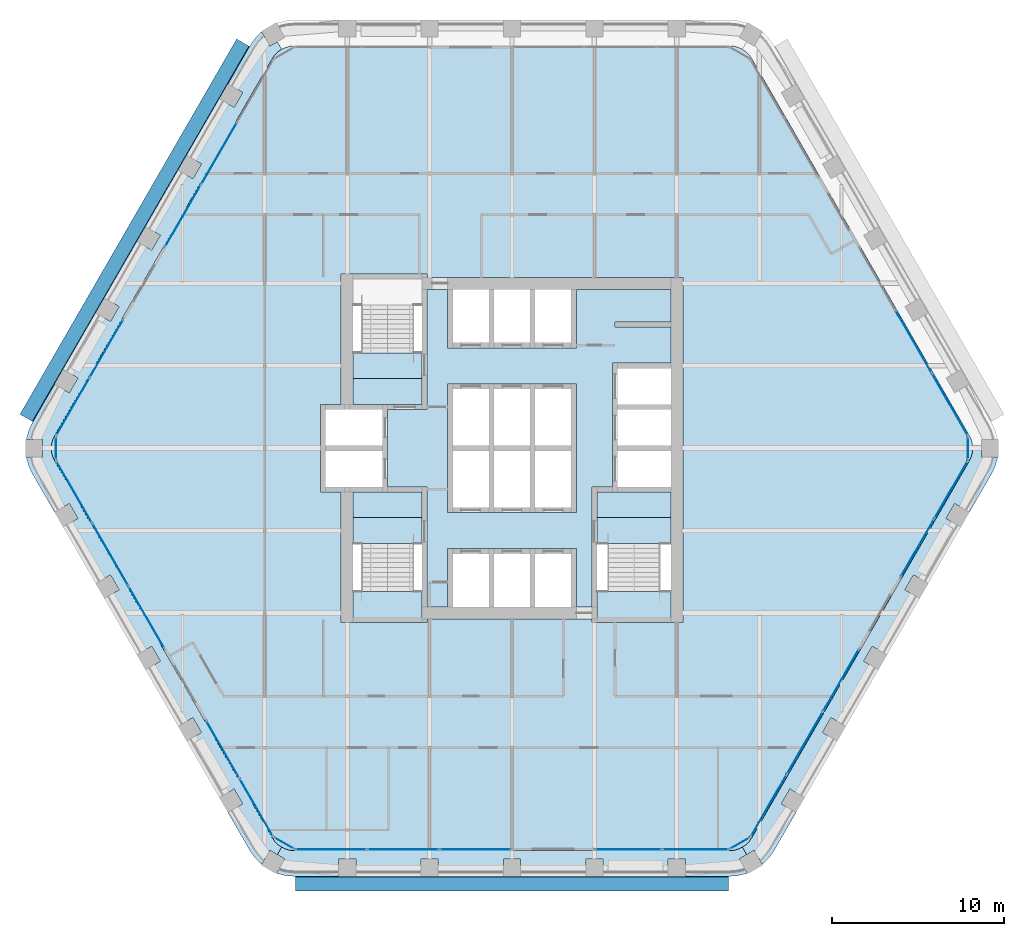
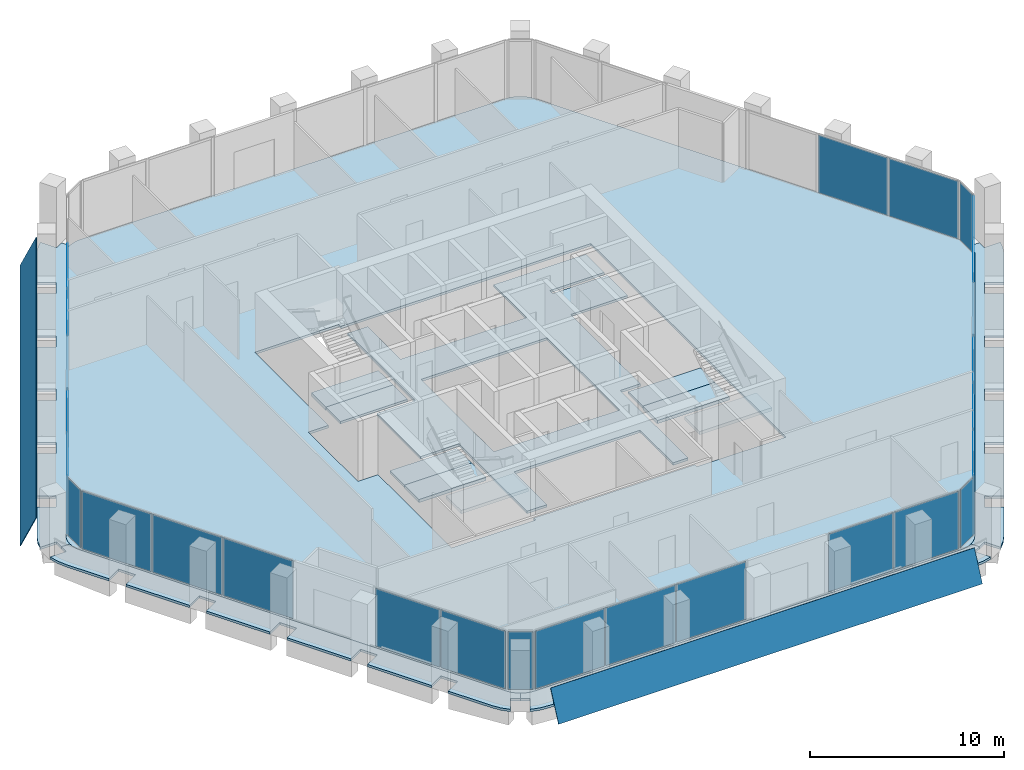
# One storey, part 7 of 15: 27 plates, 14 slabs, 16 elements without a shape of their own.
"""IFC4 building model written with IfcOpenShell, lengths in metres."""

from ifc_helpers import new_model, si_unit, direction, frame, origin, origin_2d, place, context, subcontext, project, spatial, polyline, rectangle, outline, extrude, material, layer, layer_set, type_object, element, aggregate, save


model = new_model("IFC4")

# Units and contexts
model_context = context("Model", 3, precision=1e-05, world=origin(), true_north=direction((0.0, 1.0)))
body_context = subcontext(model_context, "Body", "Model", "MODEL_VIEW")
ifc_project = project(units=[si_unit("LENGTHUNIT", "METRE"), si_unit("AREAUNIT", "SQUARE_METRE"), si_unit("VOLUMEUNIT", "CUBIC_METRE"), si_unit("PLANEANGLEUNIT", "RADIAN"), si_unit("MASSUNIT", "GRAM", prefix="KILO")], contexts=[model_context])

# Site, building, storey
site_placement = place(None, origin())
site = spatial("IfcSite", under=ifc_project, at=site_placement, CompositionType="ELEMENT")
building_placement = place(site_placement, origin())
building = spatial("IfcBuilding", under=site, at=building_placement, Name="Kolab Exchange Tower", CompositionType="ELEMENT")
storey_placement = place(building_placement, frame((0.0, 0.0, 205.10009765625)))
storey = spatial("IfcBuildingStorey", under=building, at=storey_placement, Name="L44", CompositionType="ELEMENT", Elevation=205.10009765625)

# Slabs
ifc_material_1 = material(Name="Concrete C35/45", Category="concrete")
ifc_layer_1 = layer(ifc_material_1, 0.14990234375)
ifc_layer_set_1 = layer_set([ifc_layer_1], Name="Concrete C35/45")
slab_type_1 = type_object("IfcSlabType", Name="FLOOR SLAB 150", PredefinedType="FLOOR", material=ifc_layer_set_1)
slab_1_placement = place(storey_placement, frame((0.0, 0.0, -0.150146484375)))
element("IfcSlab", 1, at=slab_1_placement, inside=storey, type_object=slab_type_1, Name="slab/L44/floor/0", PredefinedType="FLOOR", context=body_context, shape_type="SweptSolid", body=[
    extrude(outline(polyline([(13.967041015625, -22.691650390625), (26.635009765625, -0.75), (26.745361328125, -0.512939453125), (26.81298828125, -0.260498046875), (26.8359375, 0.0), (26.81298828125, 0.260498046875), (26.745361328125, 0.512939453125), (26.635009765625, 0.75), (13.967041015625, 22.691650390625), (13.81689453125, 22.90576171875), (13.632080078125, 23.090576171875), (13.41796875, 23.240478515625), (13.180908203125, 23.35107421875), (12.928466796875, 23.418701171875), (12.66796875, 23.441650390625), (-12.66796875, 23.441650390625), (-12.928466796875, 23.418701171875), (-13.180908203125, 23.35107421875), (-13.41796875, 23.240478515625), (-13.632080078125, 23.090576171875), (-13.81689453125, 22.90576171875), (-13.967041015625, 22.691650390625), (-26.635009765625, 0.75), (-26.745361328125, 0.512939453125), (-26.81298828125, 0.260498046875), (-26.8359375, 0.0), (-26.81298828125, -0.260498046875), (-26.745361328125, -0.512939453125), (-26.635009765625, -0.75), (-13.967041015625, -22.691650390625), (-13.81689453125, -22.90576171875), (-13.632080078125, -23.090576171875), (-13.41796875, -23.240478515625), (-13.180908203125, -23.35107421875), (-12.928466796875, -23.418701171875), (-12.66796875, -23.441650390625), (12.66796875, -23.441650390625), (12.928466796875, -23.418701171875), (13.180908203125, -23.35107421875), (13.41796875, -23.240478515625), (13.632080078125, -23.090576171875), (13.81689453125, -22.90576171875), (13.967041015625, -22.691650390625)]), holes=[polyline([(-9.25, -10.14990234375), (-9.949951171875, -10.14990234375), (-9.949951171875, -2.550048828125), (-10.85009765625, -2.550048828125), (-11.14990234375, -2.550048828125), (-11.14990234375, 2.550048828125), (-10.85009765625, 2.550048828125), (-9.949951171875, 2.550048828125), (-9.949951171875, 10.14990234375), (-9.25, 10.14990234375), (-5.25, 10.14990234375), (-4.949951171875, 10.14990234375), (-4.949951171875, 9.949951171875), (9.25, 9.949951171875), (9.949951171875, 9.949951171875), (9.949951171875, -10.14990234375), (9.25, -10.14990234375), (4.949951171875, -10.14990234375), (4.64990234375, -10.14990234375), (4.64990234375, -9.949951171875), (-4.949951171875, -9.949951171875), (-4.949951171875, -10.14990234375), (-5.25, -10.14990234375), (-9.25, -10.14990234375)])]), origin(), (0.0, 0.0, 1.0), 0.150146484375),
])
slab_2_placement = place(storey_placement, frame((0.0, 0.0, -0.150146484375)))
element("IfcSlab", 2, at=slab_2_placement, inside=storey, type_object=slab_type_1, Name="slab/L44/floor/1", PredefinedType="FLOOR", context=body_context, shape_type="SweptSolid", body=[
    extrude(outline(polyline([(-4.949951171875, 9.25), (-4.949951171875, 2.25), (-5.25, 2.25), (-7.25, 2.25), (-7.25, -2.25), (-5.25, -2.25), (-4.949951171875, -2.25), (-4.949951171875, -9.25), (-3.75, -9.25), (-3.75, -5.85009765625), (-3.449951171875, -5.85009765625), (-1.35009765625, -5.85009765625), (-1.050048828125, -5.85009765625), (1.050048828125, -5.85009765625), (1.35009765625, -5.85009765625), (3.449951171875, -5.85009765625), (3.75, -5.85009765625), (3.75, -9.25), (4.64990234375, -9.25), (4.64990234375, -2.25), (4.949951171875, -2.25), (5.85009765625, -2.25), (5.85009765625, 4.949951171875), (6.14990234375, 4.949951171875), (9.25, 4.949951171875), (9.25, 7.050048828125), (6.0, 7.050048828125), (6.0, 7.35009765625), (9.25, 7.35009765625), (9.25, 9.25), (3.75, 9.25), (3.75, 5.85009765625), (3.449951171875, 5.85009765625), (1.35009765625, 5.85009765625), (1.050048828125, 5.85009765625), (-1.050048828125, 5.85009765625), (-1.35009765625, 5.85009765625), (-3.449951171875, 5.85009765625), (-3.75, 5.85009765625), (-3.75, 9.25), (-4.949951171875, 9.25)]), holes=[polyline([(-3.449951171875, -3.75), (-3.75, -3.75), (-3.75, 3.75), (-3.449951171875, 3.75), (-1.35009765625, 3.75), (-1.050048828125, 3.75), (1.050048828125, 3.75), (1.35009765625, 3.75), (3.449951171875, 3.75), (3.75, 3.75), (3.75, -3.75), (3.449951171875, -3.75), (1.35009765625, -3.75), (1.050048828125, -3.75), (-1.050048828125, -3.75), (-1.35009765625, -3.75), (-3.449951171875, -3.75)])]), origin(), (0.0, 0.0, 1.0), 0.150146484375),
])
slab_3_placement = place(storey_placement, frame((0.0, 0.0, -0.150146484375)))
element("IfcSlab", 3, at=slab_3_placement, inside=storey, type_object=slab_type_1, Name="slab/L44/floor/2", PredefinedType="FLOOR", context=body_context, shape_type="SweptSolid", body=[
    extrude(outline(polyline([(4.949951171875, -4.050048828125), (9.25, -4.050048828125), (9.25, -2.550048828125), (6.14990234375, -2.550048828125), (5.85009765625, -2.550048828125), (4.949951171875, -2.550048828125), (4.949951171875, -4.050048828125)])), origin(), (0.0, 0.0, 1.0), 0.150146484375),
])
slab_4_placement = place(storey_placement, frame((0.0, 0.0, -0.150146484375)))
element("IfcSlab", 4, at=slab_4_placement, inside=storey, type_object=slab_type_1, Name="slab/L44/floor/3", PredefinedType="FLOOR", context=body_context, shape_type="SweptSolid", body=[
    extrude(outline(polyline([(-7.550048828125, -2.550048828125), (-9.25, -2.550048828125), (-9.25, -4.050048828125), (-5.25, -4.050048828125), (-5.25, -2.550048828125), (-7.25, -2.550048828125), (-7.550048828125, -2.550048828125)])), origin(), (0.0, 0.0, 1.0), 0.150146484375),
])
slab_5_placement = place(storey_placement, frame((0.0, 0.0, -0.150146484375)))
element("IfcSlab", 5, at=slab_5_placement, inside=storey, type_object=slab_type_1, Name="slab/L44/floor/4", PredefinedType="FLOOR", context=body_context, shape_type="SweptSolid", body=[
    extrude(outline(polyline([(-9.25, 2.550048828125), (-7.550048828125, 2.550048828125), (-7.25, 2.550048828125), (-5.25, 2.550048828125), (-5.25, 4.050048828125), (-9.25, 4.050048828125), (-9.25, 2.550048828125)])), origin(), (0.0, 0.0, 1.0), 0.150146484375),
])
ifc_layer_2 = layer(ifc_material_1, 0.14990234375)
ifc_layer_set_2 = layer_set([ifc_layer_2], Name="Concrete C35/45")
slab_type_2 = type_object("IfcSlabType", Name="LOGGIA SLAB 150", PredefinedType="FLOOR", material=ifc_layer_set_2)
slab_6_placement = place(storey_placement, frame((0.0, 0.0, -0.150146484375)))
element("IfcSlab", 6, at=slab_6_placement, inside=storey, type_object=slab_type_2, Name="slab/L44/loggia/2-0", PredefinedType="FLOOR", context=body_context, shape_type="SweptSolid", body=[
    extrude(outline(polyline([(15.26611328125, -23.441650390625), (16.550048828125, -21.217529296875), (15.68408203125, -20.717529296875), (16.18408203125, -19.8515625), (17.050048828125, -20.3515625), (18.949951171875, -17.060791015625), (18.083984375, -16.560791015625), (18.583984375, -15.694580078125), (19.449951171875, -16.194580078125), (21.35009765625, -12.90380859375), (20.48388671875, -12.40380859375), (20.98388671875, -11.537841796875), (21.85009765625, -12.037841796875), (23.75, -8.746826171875), (22.884033203125, -8.246826171875), (23.384033203125, -7.380859375), (24.25, -7.880859375), (26.14990234375, -4.58984375), (25.283935546875, -4.08984375), (25.783935546875, -3.223876953125), (26.64990234375, -3.723876953125), (27.93408203125, -1.5), (28.155029296875, -1.026123046875), (28.290283203125, -0.52099609375), (28.292236328125, -0.5), (27.3359375, -0.5), (27.3359375, 0.0), (26.8359375, 0.0), (26.81298828125, -0.260498046875), (26.745361328125, -0.512939453125), (26.635009765625, -0.75), (13.967041015625, -22.691650390625), (13.81689453125, -22.90576171875), (13.632080078125, -23.090576171875), (13.41796875, -23.240478515625), (13.66796875, -23.673583984375), (14.10107421875, -23.423583984375), (14.5791015625, -24.251708984375), (14.59619140625, -24.23974609375), (14.966064453125, -23.869873046875), (15.26611328125, -23.441650390625)])), origin(), (0.0, 0.0, 1.0), 0.150146484375),
])
slab_7_placement = place(storey_placement, frame((0.0, 0.0, -0.150146484375)))
element("IfcSlab", 7, at=slab_7_placement, inside=storey, type_object=slab_type_2, Name="slab/L44/loggia/3-0", PredefinedType="FLOOR", context=body_context, shape_type="SweptSolid", body=[
    extrude(outline(polyline([(-13.41796875, -23.240478515625), (-13.66796875, -23.673583984375), (-13.23486328125, -23.923583984375), (-13.713134765625, -24.751708984375), (-13.694091796875, -24.760498046875), (-13.18896484375, -24.89599609375), (-12.66796875, -24.941650390625), (-10.10009765625, -24.941650390625), (-10.10009765625, -23.941650390625), (-9.10009765625, -23.941650390625), (-9.10009765625, -24.941650390625), (-5.300048828125, -24.941650390625), (-5.300048828125, -23.941650390625), (-4.300048828125, -23.941650390625), (-4.300048828125, -24.941650390625), (-0.5, -24.941650390625), (-0.5, -23.941650390625), (0.5, -23.941650390625), (0.5, -24.941650390625), (4.300048828125, -24.941650390625), (4.300048828125, -23.941650390625), (5.300048828125, -23.941650390625), (5.300048828125, -24.941650390625), (9.10009765625, -24.941650390625), (9.10009765625, -23.941650390625), (10.10009765625, -23.941650390625), (10.10009765625, -24.941650390625), (12.66796875, -24.941650390625), (13.18896484375, -24.89599609375), (13.694091796875, -24.760498046875), (13.713134765625, -24.751708984375), (13.23486328125, -23.923583984375), (13.66796875, -23.673583984375), (13.41796875, -23.240478515625), (13.180908203125, -23.35107421875), (12.928466796875, -23.418701171875), (12.66796875, -23.441650390625), (-12.66796875, -23.441650390625), (-12.928466796875, -23.418701171875), (-13.180908203125, -23.35107421875), (-13.41796875, -23.240478515625)])), origin(), (0.0, 0.0, 1.0), 0.150146484375),
])
slab_8_placement = place(storey_placement, frame((0.0, 0.0, -0.150146484375)))
element("IfcSlab", 8, at=slab_8_placement, inside=storey, type_object=slab_type_2, Name="slab/L44/loggia/4-0", PredefinedType="FLOOR", context=body_context, shape_type="SweptSolid", body=[
    extrude(outline(polyline([(-26.8359375, 0.0), (-27.3359375, 0.0), (-27.3359375, -0.5), (-28.292236328125, -0.5), (-28.290283203125, -0.52099609375), (-28.155029296875, -1.026123046875), (-27.93408203125, -1.5), (-26.64990234375, -3.723876953125), (-25.783935546875, -3.223876953125), (-25.283935546875, -4.08984375), (-26.14990234375, -4.58984375), (-24.25, -7.880859375), (-23.384033203125, -7.380859375), (-22.884033203125, -8.246826171875), (-23.75, -8.746826171875), (-21.85009765625, -12.037841796875), (-20.98388671875, -11.537841796875), (-20.48388671875, -12.40380859375), (-21.35009765625, -12.90380859375), (-19.449951171875, -16.194580078125), (-18.583984375, -15.694580078125), (-18.083984375, -16.560791015625), (-18.949951171875, -17.060791015625), (-17.050048828125, -20.3515625), (-16.18408203125, -19.8515625), (-15.68408203125, -20.717529296875), (-16.550048828125, -21.217529296875), (-15.26611328125, -23.441650390625), (-14.966064453125, -23.869873046875), (-14.59619140625, -24.23974609375), (-14.5791015625, -24.251708984375), (-14.10107421875, -23.423583984375), (-13.66796875, -23.673583984375), (-13.41796875, -23.240478515625), (-13.632080078125, -23.090576171875), (-13.81689453125, -22.90576171875), (-13.967041015625, -22.691650390625), (-26.635009765625, -0.75), (-26.745361328125, -0.512939453125), (-26.81298828125, -0.260498046875), (-26.8359375, 0.0)])), origin(), (0.0, 0.0, 1.0), 0.150146484375),
])
slab_9_placement = place(storey_placement, frame((0.0, 0.0, -0.150146484375)))
element("IfcSlab", 9, at=slab_9_placement, inside=storey, type_object=slab_type_2, Name="slab/L44/loggia/5-0", PredefinedType="FLOOR", context=body_context, shape_type="SweptSolid", body=[
    extrude(outline(polyline([(-13.41796875, 23.240478515625), (-13.66796875, 23.673583984375), (-14.10107421875, 23.423583984375), (-14.5791015625, 24.251708984375), (-14.59619140625, 24.23974609375), (-14.966064453125, 23.869873046875), (-15.26611328125, 23.441650390625), (-16.550048828125, 21.217529296875), (-15.68408203125, 20.717529296875), (-16.18408203125, 19.8515625), (-17.050048828125, 20.3515625), (-18.949951171875, 17.060791015625), (-18.083984375, 16.560791015625), (-18.583984375, 15.694580078125), (-19.449951171875, 16.194580078125), (-21.35009765625, 12.90380859375), (-20.48388671875, 12.40380859375), (-20.98388671875, 11.537841796875), (-21.85009765625, 12.037841796875), (-23.75, 8.746826171875), (-22.884033203125, 8.246826171875), (-23.384033203125, 7.380859375), (-24.25, 7.880859375), (-26.14990234375, 4.58984375), (-25.283935546875, 4.08984375), (-25.783935546875, 3.223876953125), (-26.64990234375, 3.723876953125), (-27.93408203125, 1.5), (-28.155029296875, 1.026123046875), (-28.290283203125, 0.52099609375), (-28.292236328125, 0.5), (-27.3359375, 0.5), (-27.3359375, 0.0), (-26.8359375, 0.0), (-26.81298828125, 0.260498046875), (-26.745361328125, 0.512939453125), (-26.635009765625, 0.75), (-13.967041015625, 22.691650390625), (-13.81689453125, 22.90576171875), (-13.632080078125, 23.090576171875), (-13.41796875, 23.240478515625)])), origin(), (0.0, 0.0, 1.0), 0.150146484375),
])

# Plates
ifc_material_2 = material(Name="Laminated glass, clear", Category="glass")
ifc_layer_3 = layer(ifc_material_2, 0.0400390625)
ifc_layer_set_3 = layer_set([ifc_layer_3], Name="Laminated glass, clear")
plate_type_1 = type_object("IfcPlateType", Name="OUTER SKIN LAMINATED GLASS SHEET 40", PredefinedType="SHEET", material=ifc_layer_set_3)
plate_1_placement = place(storey_placement, frame((12.617919921875, -25.806640625, -0.68310546875), z_axis=(0.0, -0.90629442354, 0.42264691867), x_axis=(-1.0, 0.0, 0.0)))
element("IfcPlate", 10, at=plate_1_placement, inside=storey, type_object=plate_type_1, Name="Outer skin", PredefinedType="SHEET", context=body_context, shape_type="SweptSolid", body=[
    extrude(outline(polyline([(0.0, 0.0), (25.23583984375, 0.0), (25.23583984375, -1.9611107647099728), (0.0, -1.9611107647099728), (0.0, 0.0)])), origin(), (0.0, 0.0, -1.0), 0.0400390625),
])
plate_2_placement = place(storey_placement, frame((-28.658203125, 1.975830078125, -0.68310546875), z_axis=(-0.784879402523, 0.453150748855, 0.422633082363), x_axis=(0.49999996891, 0.866025421734, -9.26397e-07)))
element("IfcPlate", 11, at=plate_2_placement, inside=storey, type_object=plate_type_1, Name="Outer skin", PredefinedType="SHEET", context=body_context, shape_type="SweptSolid", body=[
    extrude(outline(polyline([(0.0, 0.0), (25.235928246078725, 0.0), (25.235801780826137, -1.9611225980101963), (8.496673513867198e-05, -1.9610710072384852), (0.0, 0.0)])), origin(), (0.0, 0.0, -1.0), 0.0400390625),
])

# Stair, slab
ifc_material_3 = material(Name="Concrete C50/60", Category="concrete")
stair_type_1 = type_object("IfcStairType", Name="STAIR ST1 RISER 177.3", PredefinedType="HALF_TURN_STAIR", material=ifc_material_3)
stair_1_placement = place(storey_placement, origin())
stair_1 = element("IfcStair", 12, at=stair_1_placement, inside=storey, type_object=stair_type_1, Name="Stair 1", PredefinedType="HALF_TURN_STAIR")
ifc_layer_4 = layer(ifc_material_3, 0.199951171875)
ifc_layer_set_4 = layer_set([ifc_layer_4], Name="Concrete C50/60")
slab_type_3 = type_object("IfcSlabType", Name="STAIR LANDING 200", PredefinedType="LANDING", material=ifc_layer_set_4)
slab_10_placement = place(storey_placement, frame((0.0, 0.0, -0.2001953125)))
slab_10 = element("IfcSlab", 13, at=slab_10_placement, type_object=slab_type_3, Name="ST1 landing 1", PredefinedType="LANDING", context=body_context, shape_type="SweptSolid", body=[
    extrude(outline(polyline([(-9.25, 4.050048828125), (-5.25, 4.050048828125), (-5.25, 5.550048828125), (-9.25, 5.550048828125), (-9.25, 4.050048828125)])), origin(), (0.0, 0.0, 1.0), 0.2001953125),
])
aggregate(stair_1, [slab_10])

# Stair, slabs
stair_type_2 = type_object("IfcStairType", Name="STAIR ST3 RISER 177.3", PredefinedType="HALF_TURN_STAIR", material=ifc_material_3)
stair_2_placement = place(storey_placement, origin())
stair_2 = element("IfcStair", 14, at=stair_2_placement, inside=storey, type_object=stair_type_2, Name="Stair 3", PredefinedType="HALF_TURN_STAIR")
slab_11_placement = place(storey_placement, frame((0.0, 0.0, -0.2001953125)))
slab_11 = element("IfcSlab", 15, at=slab_11_placement, type_object=slab_type_3, Name="ST3 landing 1", PredefinedType="LANDING", context=body_context, shape_type="SweptSolid", body=[
    extrude(outline(polyline([(-9.25, -5.550048828125), (-5.25, -5.550048828125), (-5.25, -4.050048828125), (-9.25, -4.050048828125), (-9.25, -5.550048828125)])), origin(), (0.0, 0.0, 1.0), 0.2001953125),
])
slab_12_placement = place(storey_placement, frame((0.0, 0.0, 1.75)))
slab_12 = element("IfcSlab", 16, at=slab_12_placement, type_object=slab_type_3, Name="ST3 landing 2", PredefinedType="LANDING", context=body_context, shape_type="SweptSolid", body=[
    extrude(outline(polyline([(-9.25, -9.909912109375), (-5.25, -9.909912109375), (-5.25, -8.35009765625), (-9.25, -8.35009765625), (-9.25, -9.909912109375)])), origin(), (0.0, 0.0, 1.0), 0.199951171875),
])
aggregate(stair_2, [slab_11, slab_12])

stair_type_3 = type_object("IfcStairType", Name="STAIR ST2 RISER 177.3", PredefinedType="HALF_TURN_STAIR", material=ifc_material_3)
stair_3_placement = place(storey_placement, origin())
stair_3 = element("IfcStair", 17, at=stair_3_placement, inside=storey, type_object=stair_type_3, Name="Stair 2", PredefinedType="HALF_TURN_STAIR")
slab_13_placement = place(storey_placement, frame((0.0, 0.0, -0.2001953125)))
slab_13 = element("IfcSlab", 18, at=slab_13_placement, type_object=slab_type_3, Name="ST2 landing 1", PredefinedType="LANDING", context=body_context, shape_type="SweptSolid", body=[
    extrude(outline(polyline([(4.949951171875, -5.550048828125), (9.25, -5.550048828125), (9.25, -4.050048828125), (4.949951171875, -4.050048828125), (4.949951171875, -5.550048828125)])), origin(), (0.0, 0.0, 1.0), 0.2001953125),
])
slab_14_placement = place(storey_placement, frame((0.0, 0.0, 1.75)))
slab_14 = element("IfcSlab", 19, at=slab_14_placement, type_object=slab_type_3, Name="ST2 landing 2", PredefinedType="LANDING", context=body_context, shape_type="SweptSolid", body=[
    extrude(outline(polyline([(4.949951171875, -9.909912109375), (9.25, -9.909912109375), (9.25, -8.35009765625), (4.949951171875, -8.35009765625), (4.949951171875, -9.909912109375)])), origin(), (0.0, 0.0, 1.0), 0.199951171875),
])
aggregate(stair_3, [slab_13, slab_14])

# Curtain wall, plates
ifc_material_4 = material(Name="Aluminium EN AW-6063 T6", Category="aluminium")
curtain_wall_type = type_object("IfcCurtainWallType", Name="UNITISED UPPER MID ZONE CURTAIN WALL", PredefinedType="NOTDEFINED", material=ifc_material_4)
curtain_wall_1_placement = place(storey_placement, origin())
curtain_wall_1 = element("IfcCurtainWall", 20, at=curtain_wall_1_placement, inside=storey, type_object=curtain_wall_type, Name="cw/L44/F2-2", PredefinedType="NOTDEFINED")
ifc_material_5 = material(Name="Clear insulated glazing unit", Category="glass")
ifc_layer_5 = layer(ifc_material_5, 0.028076171875)
ifc_layer_set_5 = layer_set([ifc_layer_5], Name="Clear insulated glazing unit")
plate_type_2 = type_object("IfcPlateType", Name="UNITISED UPPER MID ZONE GLASS PANEL 28", PredefinedType="CURTAIN_PANEL", material=ifc_layer_set_5)
plate_3_placement = place(storey_placement, frame((23.398681640625, 6.1953125, 0.06005859375), z_axis=(0.0, 0.0, 1.0), x_axis=(0.499999958358, -0.866025427826, 0.0)))
plate_3 = element("IfcPlate", 21, at=plate_3_placement, type_object=plate_type_2, Name="CW3 panel 2.1", PredefinedType="CURTAIN_PANEL", context=body_context, shape_type="SweptSolid", body=[
    extrude(rectangle(XDim=4.16259765625, YDim=0.028076171875, at=origin_2d()), origin(), (0.0, 0.0, 1.0), 3.6298828125),
])
plate_4_placement = place(storey_placement, frame((25.50244140625, 2.551513671875, 0.06005859375), z_axis=(0.0, 0.0, 1.0), x_axis=(0.499999958358, -0.866025427826, 0.0)))
plate_4 = element("IfcPlate", 22, at=plate_4_placement, type_object=plate_type_2, Name="CW3 panel 3.1", PredefinedType="CURTAIN_PANEL", context=body_context, shape_type="SweptSolid", body=[
    extrude(rectangle(XDim=4.132568359375, YDim=0.028076171875, at=origin_2d()), origin(), (0.0, 0.0, 1.0), 3.6298828125),
])
aggregate(curtain_wall_1, [plate_3, plate_4])

curtain_wall_2_placement = place(storey_placement, origin())
curtain_wall_2 = element("IfcCurtainWall", 23, at=curtain_wall_2_placement, inside=storey, type_object=curtain_wall_type, Name="cw/L44/F3-1", PredefinedType="NOTDEFINED")
plate_5_placement = place(storey_placement, frame((25.57470703125, -2.426513671875, 0.06005859375), z_axis=(0.0, 0.0, 1.0), x_axis=(-0.499999936366, -0.866025440524, 0.0)))
plate_5 = element("IfcPlate", 24, at=plate_5_placement, type_object=plate_type_2, Name="CW3 panel 1.1", PredefinedType="CURTAIN_PANEL", context=body_context, shape_type="SweptSolid", body=[
    extrude(rectangle(XDim=3.843994140625, YDim=0.028076171875, at=origin_2d()), origin(), (0.0, 0.0, 1.0), 3.6298828125),
])
plate_6_placement = place(storey_placement, frame((23.62255859375, -5.807373046875, 0.06005859375), z_axis=(0.0, 0.0, 1.0), x_axis=(-0.499999936366, -0.866025440524, 0.0)))
plate_6 = element("IfcPlate", 25, at=plate_6_placement, type_object=plate_type_2, Name="CW3 panel 2.1", PredefinedType="CURTAIN_PANEL", context=body_context, shape_type="SweptSolid", body=[
    extrude(rectangle(XDim=3.843994140625, YDim=0.028076171875, at=origin_2d()), origin(), (0.0, 0.0, 1.0), 3.6298828125),
])
aggregate(curtain_wall_2, [plate_5, plate_6])

curtain_wall_3_placement = place(storey_placement, origin())
curtain_wall_3 = element("IfcCurtainWall", 26, at=curtain_wall_3_placement, inside=storey, type_object=curtain_wall_type, Name="cw/L44/F3-2", PredefinedType="NOTDEFINED")
plate_7_placement = place(storey_placement, frame((19.16845703125, -13.522216796875, 0.06005859375), z_axis=(0.0, 0.0, 1.0), x_axis=(-0.500000017564, -0.866025393644, 0.0)))
plate_7 = element("IfcPlate", 27, at=plate_7_placement, type_object=plate_type_2, Name="CW3 panel 1.1", PredefinedType="CURTAIN_PANEL", context=body_context, shape_type="SweptSolid", body=[
    extrude(rectangle(XDim=4.132568359375, YDim=0.028076171875, at=origin_2d()), origin(), (0.0, 0.0, 1.0), 3.6298828125),
])
plate_8_placement = place(storey_placement, frame((17.064697265625, -17.166259765625, 0.06005859375), z_axis=(0.0, 0.0, 1.0), x_axis=(-0.500000017564, -0.866025393644, 0.0)))
plate_8 = element("IfcPlate", 28, at=plate_8_placement, type_object=plate_type_2, Name="CW3 panel 2.1", PredefinedType="CURTAIN_PANEL", context=body_context, shape_type="SweptSolid", body=[
    extrude(rectangle(XDim=4.16259765625, YDim=0.028076171875, at=origin_2d()), origin(), (0.0, 0.0, 1.0), 3.6298828125),
])
plate_9_placement = place(storey_placement, frame((14.9609375, -20.81005859375, 0.06005859375), z_axis=(0.0, 0.0, 1.0), x_axis=(-0.500000017564, -0.866025393644, 0.0)))
plate_9 = element("IfcPlate", 29, at=plate_9_placement, type_object=plate_type_2, Name="CW3 panel 3.1", PredefinedType="CURTAIN_PANEL", context=body_context, shape_type="SweptSolid", body=[
    extrude(rectangle(XDim=4.132568359375, YDim=0.028076171875, at=origin_2d()), origin(), (0.0, 0.0, 1.0), 3.6298828125),
])
aggregate(curtain_wall_3, [plate_7, plate_8, plate_9])

curtain_wall_4_placement = place(storey_placement, origin())
curtain_wall_4 = element("IfcCurtainWall", 30, at=curtain_wall_4_placement, inside=storey, type_object=curtain_wall_type, Name="cw/L44/F4-1", PredefinedType="NOTDEFINED")
plate_10_placement = place(storey_placement, frame((10.68603515625, -23.361572265625, 0.06005859375), z_axis=(0.0, 0.0, 1.0), x_axis=(-1.0, 0.0, 0.0)))
plate_10 = element("IfcPlate", 31, at=plate_10_placement, type_object=plate_type_2, Name="CW3 panel 1.1", PredefinedType="CURTAIN_PANEL", context=body_context, shape_type="SweptSolid", body=[
    extrude(rectangle(XDim=3.843994140625, YDim=0.028076171875, at=origin_2d()), origin(), (0.0, 0.0, 1.0), 3.6298828125),
])
plate_11_placement = place(storey_placement, frame((6.781982421875, -23.361572265625, 0.06005859375), z_axis=(0.0, 0.0, 1.0), x_axis=(-1.0, 0.0, 0.0)))
plate_11 = element("IfcPlate", 32, at=plate_11_placement, type_object=plate_type_2, Name="CW3 panel 2.1", PredefinedType="CURTAIN_PANEL", context=body_context, shape_type="SweptSolid", body=[
    extrude(rectangle(XDim=3.843994140625, YDim=0.028076171875, at=origin_2d()), origin(), (0.0, 0.0, 1.0), 3.6298828125),
])
aggregate(curtain_wall_4, [plate_10, plate_11])

curtain_wall_5_placement = place(storey_placement, origin())
curtain_wall_5 = element("IfcCurtainWall", 33, at=curtain_wall_5_placement, inside=storey, type_object=curtain_wall_type, Name="cw/L44/F4-2", PredefinedType="NOTDEFINED")
plate_12_placement = place(storey_placement, frame((-2.126220703125, -23.361572265625, 0.06005859375), z_axis=(0.0, 0.0, 1.0), x_axis=(-1.0, 0.0, 0.0)))
plate_12 = element("IfcPlate", 34, at=plate_12_placement, type_object=plate_type_2, Name="CW3 panel 1.1", PredefinedType="CURTAIN_PANEL", context=body_context, shape_type="SweptSolid", body=[
    extrude(rectangle(XDim=4.132568359375, YDim=0.028076171875, at=origin_2d()), origin(), (0.0, 0.0, 1.0), 3.6298828125),
])
plate_13_placement = place(storey_placement, frame((-6.333984375, -23.361572265625, 0.06005859375), z_axis=(0.0, 0.0, 1.0), x_axis=(-1.0, 0.0, 0.0)))
plate_13 = element("IfcPlate", 35, at=plate_13_placement, type_object=plate_type_2, Name="CW3 panel 2.1", PredefinedType="CURTAIN_PANEL", context=body_context, shape_type="SweptSolid", body=[
    extrude(rectangle(XDim=4.16259765625, YDim=0.028076171875, at=origin_2d()), origin(), (0.0, 0.0, 1.0), 3.6298828125),
])
plate_14_placement = place(storey_placement, frame((-10.54150390625, -23.361572265625, 0.06005859375), z_axis=(0.0, 0.0, 1.0), x_axis=(-1.0, 0.0, 0.0)))
plate_14 = element("IfcPlate", 36, at=plate_14_placement, type_object=plate_type_2, Name="CW3 panel 3.1", PredefinedType="CURTAIN_PANEL", context=body_context, shape_type="SweptSolid", body=[
    extrude(rectangle(XDim=4.132568359375, YDim=0.028076171875, at=origin_2d()), origin(), (0.0, 0.0, 1.0), 3.6298828125),
])
aggregate(curtain_wall_5, [plate_12, plate_13, plate_14])

curtain_wall_6_placement = place(storey_placement, origin())
curtain_wall_6 = element("IfcCurtainWall", 37, at=curtain_wall_6_placement, inside=storey, type_object=curtain_wall_type, Name="cw/L44/F5-1", PredefinedType="NOTDEFINED")
plate_15_placement = place(storey_placement, frame((-14.888671875, -20.93505859375, 0.06005859375), z_axis=(0.0, 0.0, 1.0), x_axis=(-0.500000031681, 0.866025385493, 0.0)))
plate_15 = element("IfcPlate", 38, at=plate_15_placement, type_object=plate_type_2, Name="CW3 panel 1.1", PredefinedType="CURTAIN_PANEL", context=body_context, shape_type="SweptSolid", body=[
    extrude(rectangle(XDim=3.843994140625, YDim=0.028076171875, at=origin_2d()), origin(), (0.0, 0.0, 1.0), 3.6298828125),
])
plate_16_placement = place(storey_placement, frame((-16.840576171875, -17.55419921875, 0.06005859375), z_axis=(0.0, 0.0, 1.0), x_axis=(-0.500000031681, 0.866025385493, 0.0)))
plate_16 = element("IfcPlate", 39, at=plate_16_placement, type_object=plate_type_2, Name="CW3 panel 2.1", PredefinedType="CURTAIN_PANEL", context=body_context, shape_type="SweptSolid", body=[
    extrude(rectangle(XDim=3.843994140625, YDim=0.028076171875, at=origin_2d()), origin(), (0.0, 0.0, 1.0), 3.6298828125),
])
aggregate(curtain_wall_6, [plate_15, plate_16])

curtain_wall_7_placement = place(storey_placement, origin())
curtain_wall_7 = element("IfcCurtainWall", 40, at=curtain_wall_7_placement, inside=storey, type_object=curtain_wall_type, Name="cw/L44/F5-2", PredefinedType="NOTDEFINED")
plate_17_placement = place(storey_placement, frame((-21.294921875, -9.83935546875, 0.06005859375), z_axis=(0.0, 0.0, 1.0), x_axis=(-0.499999958358, 0.866025427826, 0.0)))
plate_17 = element("IfcPlate", 41, at=plate_17_placement, type_object=plate_type_2, Name="CW3 panel 1.1", PredefinedType="CURTAIN_PANEL", context=body_context, shape_type="SweptSolid", body=[
    extrude(rectangle(XDim=4.132568359375, YDim=0.028076171875, at=origin_2d()), origin(), (0.0, 0.0, 1.0), 3.6298828125),
])
plate_18_placement = place(storey_placement, frame((-23.398681640625, -6.1953125, 0.06005859375), z_axis=(0.0, 0.0, 1.0), x_axis=(-0.499999958358, 0.866025427826, 0.0)))
plate_18 = element("IfcPlate", 42, at=plate_18_placement, type_object=plate_type_2, Name="CW3 panel 2.1", PredefinedType="CURTAIN_PANEL", context=body_context, shape_type="SweptSolid", body=[
    extrude(rectangle(XDim=4.16259765625, YDim=0.028076171875, at=origin_2d()), origin(), (0.0, 0.0, 1.0), 3.6298828125),
])
plate_19_placement = place(storey_placement, frame((-25.50244140625, -2.551513671875, 0.06005859375), z_axis=(0.0, 0.0, 1.0), x_axis=(-0.499999958358, 0.866025427826, 0.0)))
plate_19 = element("IfcPlate", 43, at=plate_19_placement, type_object=plate_type_2, Name="CW3 panel 3.1", PredefinedType="CURTAIN_PANEL", context=body_context, shape_type="SweptSolid", body=[
    extrude(rectangle(XDim=4.132568359375, YDim=0.028076171875, at=origin_2d()), origin(), (0.0, 0.0, 1.0), 3.6298828125),
])
aggregate(curtain_wall_7, [plate_17, plate_18, plate_19])

curtain_wall_8_placement = place(storey_placement, origin())
curtain_wall_8 = element("IfcCurtainWall", 44, at=curtain_wall_8_placement, inside=storey, type_object=curtain_wall_type, Name="cw/L44/F6-1", PredefinedType="NOTDEFINED")
plate_20_placement = place(storey_placement, frame((-25.57470703125, 2.426513671875, 0.06005859375), z_axis=(0.0, 0.0, 1.0), x_axis=(0.499999936366, 0.866025440524, 0.0)))
plate_20 = element("IfcPlate", 45, at=plate_20_placement, type_object=plate_type_2, Name="CW3 panel 1.1", PredefinedType="CURTAIN_PANEL", context=body_context, shape_type="SweptSolid", body=[
    extrude(rectangle(XDim=3.843994140625, YDim=0.028076171875, at=origin_2d()), origin(), (0.0, 0.0, 1.0), 3.6298828125),
])
plate_21_placement = place(storey_placement, frame((-23.62255859375, 5.807373046875, 0.06005859375), z_axis=(0.0, 0.0, 1.0), x_axis=(0.499999936366, 0.866025440524, 0.0)))
plate_21 = element("IfcPlate", 46, at=plate_21_placement, type_object=plate_type_2, Name="CW3 panel 2.1", PredefinedType="CURTAIN_PANEL", context=body_context, shape_type="SweptSolid", body=[
    extrude(rectangle(XDim=3.843994140625, YDim=0.028076171875, at=origin_2d()), origin(), (0.0, 0.0, 1.0), 3.6298828125),
])
aggregate(curtain_wall_8, [plate_20, plate_21])

curtain_wall_9_placement = place(storey_placement, origin())
curtain_wall_9 = element("IfcCurtainWall", 47, at=curtain_wall_9_placement, inside=storey, type_object=curtain_wall_type, Name="cw/L44/F6-2", PredefinedType="NOTDEFINED")
plate_22_placement = place(storey_placement, frame((-19.16845703125, 13.522216796875, 0.06005859375), z_axis=(0.0, 0.0, 1.0), x_axis=(0.500000017564, 0.866025393644, 0.0)))
plate_22 = element("IfcPlate", 48, at=plate_22_placement, type_object=plate_type_2, Name="CW3 panel 1.1", PredefinedType="CURTAIN_PANEL", context=body_context, shape_type="SweptSolid", body=[
    extrude(rectangle(XDim=4.132568359375, YDim=0.028076171875, at=origin_2d()), origin(), (0.0, 0.0, 1.0), 3.6298828125),
])
plate_23_placement = place(storey_placement, frame((-17.064697265625, 17.166259765625, 0.06005859375), z_axis=(0.0, 0.0, 1.0), x_axis=(0.500000017564, 0.866025393644, 0.0)))
plate_23 = element("IfcPlate", 49, at=plate_23_placement, type_object=plate_type_2, Name="CW3 panel 2.1", PredefinedType="CURTAIN_PANEL", context=body_context, shape_type="SweptSolid", body=[
    extrude(rectangle(XDim=4.16259765625, YDim=0.028076171875, at=origin_2d()), origin(), (0.0, 0.0, 1.0), 3.6298828125),
])
aggregate(curtain_wall_9, [plate_22, plate_23])

# Curtain wall, plate
curtain_wall_10_placement = place(storey_placement, origin())
curtain_wall_10 = element("IfcCurtainWall", 50, at=curtain_wall_10_placement, inside=storey, type_object=curtain_wall_type, Name="cw/L44/F2F3-corner", PredefinedType="NOTDEFINED")
plate_24_placement = place(storey_placement, frame((26.565673828125, 0.0, 0.06005859375), z_axis=(0.0, 0.0, 1.0), x_axis=(0.0, -1.0, 0.0)))
plate_24 = element("IfcPlate", 51, at=plate_24_placement, type_object=plate_type_2, Name="CW3 panel 1.1", PredefinedType="CURTAIN_PANEL", context=body_context, shape_type="SweptSolid", body=[
    extrude(rectangle(XDim=1.300048828125, YDim=0.028076171875, at=origin_2d()), origin(), (0.0, 0.0, 1.0), 3.6298828125),
])
aggregate(curtain_wall_10, [plate_24])

curtain_wall_11_placement = place(storey_placement, origin())
curtain_wall_11 = element("IfcCurtainWall", 52, at=curtain_wall_11_placement, inside=storey, type_object=curtain_wall_type, Name="cw/L44/F3F4-corner", PredefinedType="NOTDEFINED")
plate_25_placement = place(storey_placement, frame((13.28271484375, -23.006591796875, 0.06005859375), z_axis=(0.0, 0.0, 1.0), x_axis=(-0.866025390869, -0.50000002237, 0.0)))
plate_25 = element("IfcPlate", 53, at=plate_25_placement, type_object=plate_type_2, Name="CW3 panel 1.1", PredefinedType="CURTAIN_PANEL", context=body_context, shape_type="SweptSolid", body=[
    extrude(rectangle(XDim=1.300048828125, YDim=0.028076171875, at=origin_2d()), origin(), (0.0, 0.0, 1.0), 3.6298828125),
])
aggregate(curtain_wall_11, [plate_25])

curtain_wall_12_placement = place(storey_placement, origin())
curtain_wall_12 = element("IfcCurtainWall", 54, at=curtain_wall_12_placement, inside=storey, type_object=curtain_wall_type, Name="cw/L44/F4F5-corner", PredefinedType="NOTDEFINED")
plate_26_placement = place(storey_placement, frame((-13.28271484375, -23.006591796875, 0.06005859375), z_axis=(0.0, 0.0, 1.0), x_axis=(-0.866025390869, 0.50000002237, 0.0)))
plate_26 = element("IfcPlate", 55, at=plate_26_placement, type_object=plate_type_2, Name="CW3 panel 1.1", PredefinedType="CURTAIN_PANEL", context=body_context, shape_type="SweptSolid", body=[
    extrude(rectangle(XDim=1.300048828125, YDim=0.028076171875, at=origin_2d()), origin(), (0.0, 0.0, 1.0), 3.6298828125),
])
aggregate(curtain_wall_12, [plate_26])

curtain_wall_13_placement = place(storey_placement, origin())
curtain_wall_13 = element("IfcCurtainWall", 56, at=curtain_wall_13_placement, inside=storey, type_object=curtain_wall_type, Name="cw/L44/F5F6-corner", PredefinedType="NOTDEFINED")
plate_27_placement = place(storey_placement, frame((-26.565673828125, 0.0, 0.06005859375), z_axis=(0.0, 0.0, 1.0), x_axis=(0.0, 1.0, 0.0)))
plate_27 = element("IfcPlate", 57, at=plate_27_placement, type_object=plate_type_2, Name="CW3 panel 1.1", PredefinedType="CURTAIN_PANEL", context=body_context, shape_type="SweptSolid", body=[
    extrude(rectangle(XDim=1.300048828125, YDim=0.028076171875, at=origin_2d()), origin(), (0.0, 0.0, 1.0), 3.6298828125),
])
aggregate(curtain_wall_13, [plate_27])

save(model, "model.ifc")
